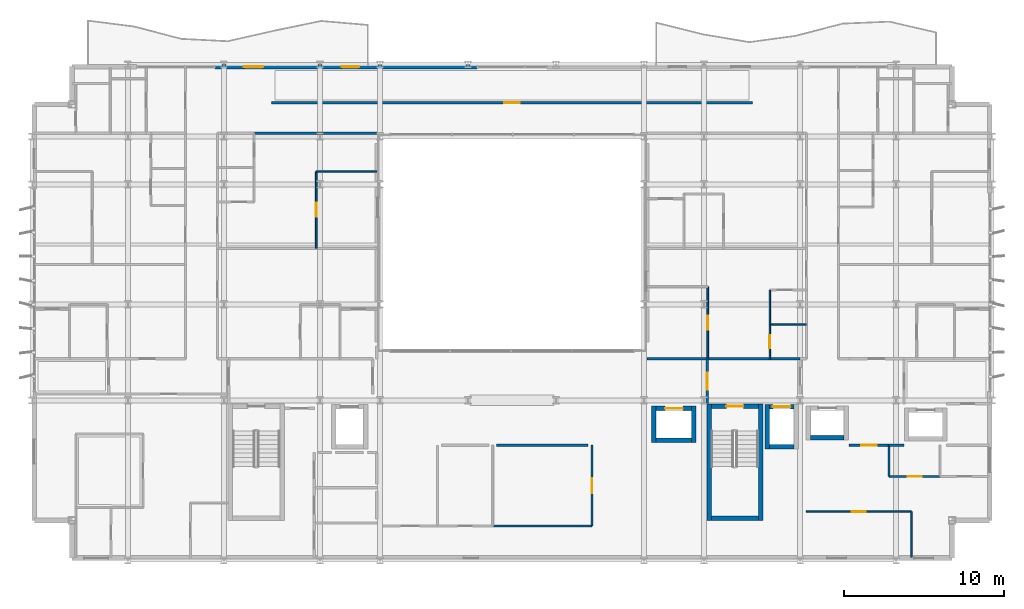
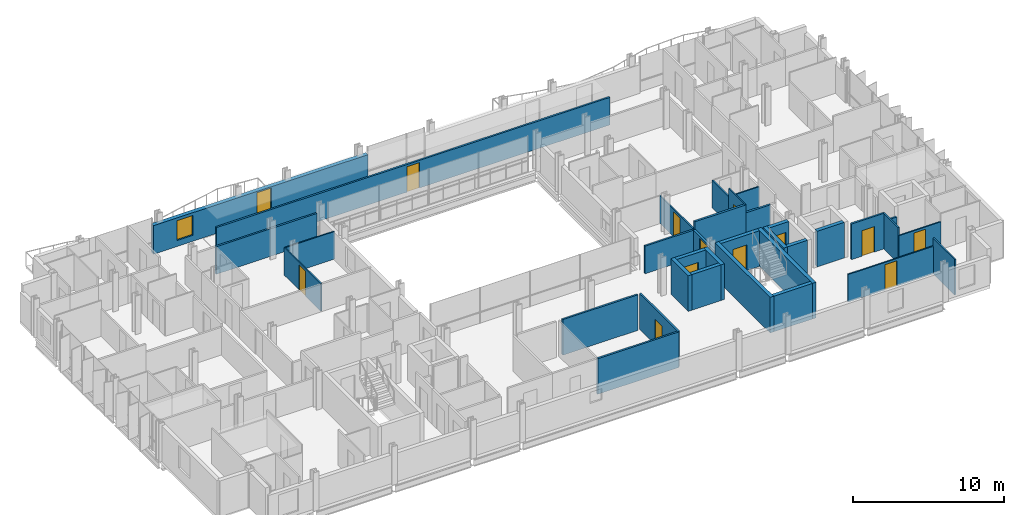
# One storey, part 30 of 38: 34 walls, 13 doors, 1 window, 14 openings.
"""IFC4 building model written with IfcOpenShell, lengths in metres."""

from ifc_helpers import new_model, si_unit, direction, frame, frame_2d, origin, place, context, subcontext, project, spatial, rectangle, extrude, material, layer, layer_set, type_object, element, fill, save


model = new_model("IFC4")

# Units and contexts
model_context = context("Model", 3, precision=1e-05, world=origin(), true_north=direction((0.0, 1.0)))
body_context = subcontext(model_context, "Body", "Model", "MODEL_VIEW")
ifc_project = project(units=[si_unit("LENGTHUNIT", "METRE"), si_unit("AREAUNIT", "SQUARE_METRE"), si_unit("VOLUMEUNIT", "CUBIC_METRE"), si_unit("PLANEANGLEUNIT", "RADIAN"), si_unit("MASSUNIT", "GRAM", prefix="KILO")], contexts=[model_context])

# Site, building, storey
site_placement = place(None, origin())
site = spatial("IfcSite", under=ifc_project, at=site_placement, CompositionType="ELEMENT")
building_placement = place(site_placement, origin())
building = spatial("IfcBuilding", under=site, at=building_placement, Name="Brevholm Reach", CompositionType="ELEMENT")
storey_placement = place(building_placement, frame((0.0, 0.0, 52.800048828125)))
storey = spatial("IfcBuildingStorey", under=building, at=storey_placement, Name="L14", CompositionType="ELEMENT", Elevation=52.800048828125)

# Walls
ifc_material_1 = material(Name="Concrete C50/60", Category="concrete")
ifc_layer_1 = layer(ifc_material_1, 0.280029296875)
ifc_layer_set_1 = layer_set([ifc_layer_1], Name="Concrete C50/60")
wall_type_1 = type_object("IfcWallType", Name="WAL-COR-280", PredefinedType="SHEAR", material=ifc_layer_set_1)
for number, where, z_axis, x_axis, name in (
    (1, (42.31005859375, 2.5, 0.0), (0.0, 0.0, 1.0), (0.0, 1.0, 0.0), "L14 Escape Stair ST-2 Core Wall W"),
    (2, (45.5400390625, 2.5, 0.0), (0.0, 0.0, 1.0), (0.0, 1.0, 0.0), "L14 Escape Stair ST-2 Core Wall E"),
):
    element("IfcWall", number, at=place(storey_placement, frame(where, z_axis=z_axis, x_axis=x_axis)), inside=storey, type_object=wall_type_1, Name=name, PredefinedType="SHEAR", context=body_context, shape_type="SweptSolid", body=[
        extrude(rectangle(XDim=7.280029296875, YDim=0.280029296875, at=frame_2d((3.64013671875, 0.0))), origin(), (0.0, 0.0, 1.0), 2.869873046875),
    ])
wall_1_placement = place(storey_placement, frame((42.449951171875, 2.639892578125, 0.0), z_axis=(0.0, 0.0, 1.0), x_axis=(1.0, 0.0, 0.0)))
element("IfcWall", 3, at=wall_1_placement, inside=storey, type_object=wall_type_1, Name="L14 Escape Stair ST-2 Core Wall S", PredefinedType="SHEAR", context=body_context, shape_type="SweptSolid", body=[
    extrude(rectangle(XDim=2.949951171875, YDim=0.280029296875, at=frame_2d((1.47509765625, 0.0))), origin(), (0.0, 0.0, 1.0), 2.869873046875),
])

# Wall, opening, door
wall_2_placement = place(storey_placement, frame((45.39990234375, 9.639892578125, 0.0), z_axis=(0.0, 0.0, 1.0), x_axis=(-1.0, 0.0, 0.0)))
wall_2 = element("IfcWall", 4, at=wall_2_placement, inside=storey, type_object=wall_type_1, Name="L14 Escape Stair ST-2 Core Wall N", PredefinedType="SHEAR", context=body_context, shape_type="SweptSolid", body=[
    extrude(rectangle(XDim=2.949951171875, YDim=0.280029296875, at=frame_2d((1.47509765625, 0.0))), origin(), (0.0, 0.0, 1.0), 2.869873046875),
])
opening_1_placement = place(wall_2_placement, frame((0.949951171875, 0.0, 0.0)))
opening_1 = element("IfcOpeningElement", 5, at=opening_1_placement, cuts=wall_2, Name="Opening SD-ST-2", PredefinedType="OPENING", context=body_context, shape_type="SweptSolid", body=[
    extrude(rectangle(XDim=1.050048828125, YDim=2.06005859375, at=frame_2d((0.52490234375, 1.030029296875))), frame((0.0, 0.14990234375, 0.0), z_axis=(0.0, -1.0, 0.0), x_axis=(1.0, 0.0, 0.0)), (0.0, 0.0, 1.0), 0.300048828125),
])
ifc_material_2 = material(Name="Hardwood-Lipped Steel-Core Fire and Smoke Door", Category="steel")
door_type_1 = type_object("IfcDoorType", Name="DOR-INT-FD60S", OperationType="NOTDEFINED", PredefinedType="DOOR", material=ifc_material_2)
door_1_placement = place(opening_1_placement, origin())
door_1 = element("IfcDoor", 6, at=door_1_placement, inside=storey, type_object=door_type_1, Name="L14 Protected Stair ST-2 Lobby Door", OperationType="SINGLE_SWING_LEFT", OverallHeight=2.06005859375, OverallWidth=1.050048828125, PredefinedType="DOOR", context=body_context, shape_type="SweptSolid", body=[
    extrude(rectangle(XDim=1.050048828125, YDim=2.06005859375, at=frame_2d((0.52490234375, 1.030029296875))), frame((0.0, 0.02490234375, 0.0), z_axis=(0.0, -1.0, 0.0), x_axis=(1.0, 0.0, 0.0)), (0.0, 0.0, 1.0), 0.050048828125),
])
fill(opening_1, door_1)

# Walls
wall_3_placement = place(storey_placement, frame((45.949951171875, 6.9599609375, 0.0), z_axis=(0.0, 0.0, 1.0), x_axis=(0.0, 1.0, 0.0)))
element("IfcWall", 7, at=wall_3_placement, inside=storey, type_object=wall_type_1, Name="L14 Lift FFL-2 Shaft Wall W", PredefinedType="SHEAR", context=body_context, shape_type="SweptSolid", body=[
    extrude(rectangle(XDim=2.780029296875, YDim=0.280029296875, at=frame_2d((1.39013671875, 0.0))), origin(), (0.0, 0.0, 1.0), 2.869873046875),
])
wall_4_placement = place(storey_placement, frame((46.090087890625, 7.10009765625, 0.0), z_axis=(0.0, 0.0, 1.0), x_axis=(1.0, 0.0, 0.0)))
element("IfcWall", 8, at=wall_4_placement, inside=storey, type_object=wall_type_1, Name="L14 Lift FFL-2 Shaft Wall S", PredefinedType="SHEAR", context=body_context, shape_type="SweptSolid", body=[
    extrude(rectangle(XDim=1.52001953125, YDim=0.280029296875, at=frame_2d((0.760009765625, 0.0))), origin(), (0.0, 0.0, 1.0), 2.869873046875),
])

# Wall, opening, door
wall_5_placement = place(storey_placement, frame((46.090087890625, 9.60009765625, 0.0), z_axis=(0.0, 0.0, 1.0), x_axis=(1.0, 0.0, 0.0)))
wall_5 = element("IfcWall", 9, at=wall_5_placement, inside=storey, type_object=wall_type_1, Name="L14 Lift FFL-2 Shaft Wall N", PredefinedType="SHEAR", context=body_context, shape_type="SweptSolid", body=[
    extrude(rectangle(XDim=1.52001953125, YDim=0.280029296875, at=frame_2d((0.760009765625, 0.0))), origin(), (0.0, 0.0, 1.0), 2.869873046875),
])
opening_2_placement = place(wall_5_placement, frame((0.2099609375, 0.0, 0.0)))
opening_2 = element("IfcOpeningElement", 10, at=opening_2_placement, cuts=wall_5, Name="Opening LD-FFL-2", PredefinedType="OPENING", context=body_context, shape_type="SweptSolid", body=[
    extrude(rectangle(XDim=1.10009765625, YDim=2.06005859375, at=frame_2d((0.550048828125, 1.030029296875))), frame((0.0, 0.14990234375, 0.0), z_axis=(0.0, -1.0, 0.0), x_axis=(1.0, 0.0, 0.0)), (0.0, 0.0, 1.0), 0.300048828125),
])
ifc_material_3 = material(Name="Brushed Stainless Steel Fire-Rated Sliding Lift Door", Category="steel")
door_type_2 = type_object("IfcDoorType", Name="DOR-LFT-1100", OperationType="NOTDEFINED", PredefinedType="DOOR", material=ifc_material_3)
door_2_placement = place(opening_2_placement, origin())
door_2 = element("IfcDoor", 11, at=door_2_placement, inside=storey, type_object=door_type_2, Name="L14 Lift FFL-2 Sliding Landing Door", OperationType="SLIDING_TO_LEFT", OverallHeight=2.06005859375, OverallWidth=1.10009765625, PredefinedType="DOOR", context=body_context, shape_type="SweptSolid", body=[
    extrude(rectangle(XDim=1.10009765625, YDim=2.06005859375, at=frame_2d((0.550048828125, 1.030029296875))), frame((0.0, 0.02490234375, 0.0), z_axis=(0.0, -1.0, 0.0), x_axis=(1.0, 0.0, 0.0)), (0.0, 0.0, 1.0), 0.050048828125),
])
fill(opening_2, door_2)

# Walls
wall_6_placement = place(storey_placement, frame((48.6650390625, 7.675048828125, 0.0), z_axis=(0.0, 0.0, 1.0), x_axis=(1.0, 0.0, 0.0)))
element("IfcWall", 12, at=wall_6_placement, inside=storey, type_object=wall_type_1, Name="L14 Lift PL-L1 Shaft Wall S", PredefinedType="SHEAR", context=body_context, shape_type="SweptSolid", body=[
    extrude(rectangle(XDim=2.070068359375, YDim=0.280029296875, at=frame_2d((1.03515625, 0.0))), origin(), (0.0, 0.0, 1.0), 2.869873046875),
])
for number, where, z_axis, x_axis, name in (
    (13, (38.8701171875, 7.360107421875, 0.0), (0.0, 0.0, 1.0), (0.0, 1.0, 0.0), "L14 Lift PL-S1 Shaft Wall W"),
    (14, (41.3701171875, 7.360107421875, 0.0), (0.0, 0.0, 1.0), (0.0, 1.0, 0.0), "L14 Lift PL-S1 Shaft Wall E"),
):
    element("IfcWall", number, at=place(storey_placement, frame(where, z_axis=z_axis, x_axis=x_axis)), inside=storey, type_object=wall_type_1, Name=name, PredefinedType="SHEAR", context=body_context, shape_type="SweptSolid", body=[
        extrude(rectangle(XDim=2.27978515625, YDim=0.280029296875, at=frame_2d((1.139892578125, 0.0))), origin(), (0.0, 0.0, 1.0), 2.869873046875),
    ])
wall_7_placement = place(storey_placement, frame((39.010009765625, 7.5, 0.0), z_axis=(0.0, 0.0, 1.0), x_axis=(1.0, 0.0, 0.0)))
element("IfcWall", 15, at=wall_7_placement, inside=storey, type_object=wall_type_1, Name="L14 Lift PL-S1 Shaft Wall S", PredefinedType="SHEAR", context=body_context, shape_type="SweptSolid", body=[
    extrude(rectangle(XDim=2.219970703125, YDim=0.280029296875, at=frame_2d((1.10986328125, 0.0))), origin(), (0.0, 0.0, 1.0), 2.869873046875),
])

# Wall, opening, door
wall_8_placement = place(storey_placement, frame((39.010009765625, 9.5, 0.0), z_axis=(0.0, 0.0, 1.0), x_axis=(1.0, 0.0, 0.0)))
wall_8 = element("IfcWall", 16, at=wall_8_placement, inside=storey, type_object=wall_type_1, Name="L14 Lift PL-S1 Shaft Wall N", PredefinedType="SHEAR", context=body_context, shape_type="SweptSolid", body=[
    extrude(rectangle(XDim=2.219970703125, YDim=0.280029296875, at=frame_2d((1.10986328125, 0.0))), origin(), (0.0, 0.0, 1.0), 2.869873046875),
])
opening_3_placement = place(wall_8_placement, frame((0.56005859375, 0.0, 0.0)))
opening_3 = element("IfcOpeningElement", 17, at=opening_3_placement, cuts=wall_8, Name="Opening LD-PL-S1", PredefinedType="OPENING", context=body_context, shape_type="SweptSolid", body=[
    extrude(rectangle(XDim=1.10009765625, YDim=2.06005859375, at=frame_2d((0.550048828125, 1.030029296875))), frame((0.0, 0.14990234375, 0.0), z_axis=(0.0, -1.0, 0.0), x_axis=(1.0, 0.0, 0.0)), (0.0, 0.0, 1.0), 0.300048828125),
])
door_3_placement = place(opening_3_placement, origin())
door_3 = element("IfcDoor", 18, at=door_3_placement, inside=storey, type_object=door_type_2, Name="L14 Lift PL-S1 Sliding Landing Door", OperationType="SLIDING_TO_RIGHT", OverallHeight=2.06005859375, OverallWidth=1.10009765625, PredefinedType="DOOR", context=body_context, shape_type="SweptSolid", body=[
    extrude(rectangle(XDim=1.10009765625, YDim=2.06005859375, at=frame_2d((0.550048828125, 1.030029296875))), frame((0.0, 0.02490234375, 0.0), z_axis=(0.0, -1.0, 0.0), x_axis=(1.0, 0.0, 0.0)), (0.0, 0.0, 1.0), 0.050048828125),
])
fill(opening_3, door_3)

# Wall, openings, door, window
ifc_material_4 = material(Name="Concrete C40/50", Category="concrete")
ifc_layer_2 = layer(ifc_material_4, 0.300048828125)
ifc_layer_set_2 = layer_set([ifc_layer_2], Name="Concrete C40/50")
wall_type_2 = type_object("IfcWallType", Name="WAL-EXT-300", PredefinedType="STANDARD", material=ifc_layer_set_2)
wall_9_placement = place(storey_placement, frame((11.449951171875, 30.85009765625, 0.0), z_axis=(0.0, 0.0, 1.0), x_axis=(1.0, 0.0, 0.0)))
wall_9 = element("IfcWall", 19, at=wall_9_placement, inside=storey, type_object=wall_type_2, Name="L14 Facade Wall WAL-L14-NP-WL", PredefinedType="STANDARD", context=body_context, shape_type="SweptSolid", body=[
    extrude(rectangle(XDim=16.35009765625, YDim=0.300048828125, at=frame_2d((8.175048828125, 0.0))), origin(), (0.0, 0.0, 1.0), 2.305419921875),
])
opening_4_placement = place(wall_9_placement, frame((7.89794921875, 0.0, 0.0)))
opening_4 = element("IfcOpeningElement", 20, at=opening_4_placement, cuts=wall_9, Name="Opening BD-01", PredefinedType="OPENING", context=body_context, shape_type="SweptSolid", body=[
    extrude(rectangle(XDim=1.10009765625, YDim=2.199951171875, at=frame_2d((0.550048828125, 1.10009765625))), frame((0.0, 0.159912109375, 0.0), z_axis=(0.0, -1.0, 0.0), x_axis=(1.0, 0.0, 0.0)), (0.0, 0.0, 1.0), 0.320068359375),
])
opening_5_placement = place(wall_9_placement, frame((1.800048828125, 0.0, 0.486083984375)))
opening_5 = element("IfcOpeningElement", 21, at=opening_5_placement, cuts=wall_9, Name="Opening WN-08", PredefinedType="OPENING", context=body_context, shape_type="SweptSolid", body=[
    extrude(rectangle(XDim=1.199951171875, YDim=1.60009765625, at=frame_2d((0.60009765625, 0.800048828125))), frame((0.0, 0.159912109375, 0.0), z_axis=(0.0, -1.0, 0.0), x_axis=(1.0, 0.0, 0.0)), (0.0, 0.0, 1.0), 0.320068359375),
])
ifc_material_5 = material(Name="Dark Anodised Aluminium and Triple-Glazed Glass", Category="aluminium")
door_type_3 = type_object("IfcDoorType", Name="DOR-BALC-1100", OperationType="NOTDEFINED", PredefinedType="DOOR", material=ifc_material_5)
door_4_placement = place(opening_4_placement, origin())
door_4 = element("IfcDoor", 22, at=door_4_placement, inside=storey, type_object=door_type_3, Name="L14 Exterior Door DOR-L14-BL-NW", OperationType="SINGLE_SWING_RIGHT", OverallHeight=2.199951171875, OverallWidth=1.10009765625, PredefinedType="DOOR", context=body_context, shape_type="SweptSolid", body=[
    extrude(rectangle(XDim=1.10009765625, YDim=2.199951171875, at=frame_2d((0.550048828125, 1.10009765625))), frame((0.0, 0.02490234375, 0.0), z_axis=(0.0, -1.0, 0.0), x_axis=(1.0, 0.0, 0.0)), (0.0, 0.0, 1.0), 0.050048828125),
])
fill(opening_4, door_4)
ifc_material_6 = material(Name="Dark Anodised Aluminium and Solar-Control IGU Glass", Category="aluminium")
window_type = type_object("IfcWindowType", Name="WIN-RES-1200", PartitioningType="SINGLE_PANEL", PredefinedType="WINDOW", material=ifc_material_6)
window_placement = place(opening_5_placement, origin())
window = element("IfcWindow", 23, at=window_placement, inside=storey, type_object=window_type, Name="L14 Window WIN-L14-NP-WL1", OverallHeight=1.60009765625, OverallWidth=1.199951171875, PartitioningType="SINGLE_PANEL", PredefinedType="WINDOW", context=body_context, shape_type="SweptSolid", body=[
    extrude(rectangle(XDim=1.199951171875, YDim=1.60009765625, at=frame_2d((0.60009765625, 0.800048828125))), frame((0.0, 0.030029296875, 0.0), z_axis=(0.0, -1.0, 0.0), x_axis=(1.0, 0.0, 0.0)), (0.0, 0.0, 1.0), 0.06005859375),
])
fill(opening_5, window)

# Wall, opening, door
ifc_material_7 = material(Name="Moisture-Resistant Acoustic Gypsum Stud Partition 100 mm", Category="gypsum")
ifc_layer_3 = layer(ifc_material_7, 0.10009765625)
ifc_layer_set_3 = layer_set([ifc_layer_3], Name="Moisture-Resistant Acoustic Gypsum Stud Partition 100 mm")
wall_type_3 = type_object("IfcWallType", Name="WAL-PRT-100", PredefinedType="PARTITIONING", material=ifc_layer_set_3)
wall_10_placement = place(storey_placement, frame((53.55810546875, 5.25, 0.0), z_axis=(0.0, 0.0, 1.0), x_axis=(1.0, 0.0, 0.0)))
wall_10 = element("IfcWall", 24, at=wall_10_placement, inside=storey, type_object=wall_type_3, Name="L14 Internal Partition 075", PredefinedType="PARTITIONING", context=body_context, shape_type="SweptSolid", body=[
    extrude(rectangle(XDim=3.18798828125, YDim=0.10009765625, at=frame_2d((1.593994140625, 0.0))), origin(), (0.0, 0.0, 1.0), 2.224853515625),
])
opening_6_placement = place(wall_10_placement, frame((1.154052734375, 0.0, 0.0)))
opening_6 = element("IfcOpeningElement", 25, at=opening_6_placement, cuts=wall_10, Name="Opening ID-01", PredefinedType="OPENING", context=body_context, shape_type="SweptSolid", body=[
    extrude(rectangle(XDim=0.8798828125, YDim=2.0400390625, at=frame_2d((0.43994140625, 1.02001953125))), frame((0.0, 0.06005859375, 0.0), z_axis=(0.0, -1.0, 0.0), x_axis=(1.0, 0.0, 0.0)), (0.0, 0.0, 1.0), 0.1201171875),
])
ifc_material_8 = material(Name="Lacquered Ash Solid-Core Acoustic Internal Door", Category="timber")
door_type_4 = type_object("IfcDoorType", Name="DOR-INT-880", OperationType="NOTDEFINED", PredefinedType="DOOR", material=ifc_material_8)
door_5_placement = place(opening_6_placement, origin())
door_5 = element("IfcDoor", 26, at=door_5_placement, inside=storey, type_object=door_type_4, Name="L14 Internal Door 031", OperationType="SINGLE_SWING_LEFT", OverallHeight=2.0400390625, OverallWidth=0.8798828125, PredefinedType="DOOR", context=body_context, shape_type="SweptSolid", body=[
    extrude(rectangle(XDim=0.8798828125, YDim=2.0400390625, at=frame_2d((0.43994140625, 1.02001953125))), frame((0.0, 0.02490234375, 0.0), z_axis=(0.0, -1.0, 0.0), x_axis=(1.0, 0.0, 0.0)), (0.0, 0.0, 1.0), 0.050048828125),
])
fill(opening_6, door_5)

# Walls
wall_11_placement = place(storey_placement, frame((53.55810546875, 5.25, 0.0), z_axis=(0.0, 0.0, 1.0), x_axis=(0.0, 1.0, 0.0)))
element("IfcWall", 27, at=wall_11_placement, inside=storey, type_object=wall_type_3, Name="L14 Internal Partition 076", PredefinedType="PARTITIONING", context=body_context, shape_type="SweptSolid", body=[
    extrude(rectangle(XDim=1.946044921875, YDim=0.10009765625, at=frame_2d((0.97314453125, 0.0))), origin(), (0.0, 0.0, 1.0), 2.869873046875),
])
wall_12_placement = place(storey_placement, frame((54.949951171875, 0.199951171875, 0.0), z_axis=(0.0, 0.0, 1.0), x_axis=(0.0, 1.0, 0.0)))
element("IfcWall", 28, at=wall_12_placement, inside=storey, type_object=wall_type_3, Name="L14 Internal Partition 077", PredefinedType="PARTITIONING", context=body_context, shape_type="SweptSolid", body=[
    extrude(rectangle(XDim=2.85009765625, YDim=0.10009765625, at=frame_2d((1.425048828125, 0.0))), origin(), (0.0, 0.0, 1.0), 2.869873046875),
])

# Wall, opening, door
wall_13_placement = place(storey_placement, frame((48.39990234375, 3.050048828125, 0.0), z_axis=(0.0, 0.0, 1.0), x_axis=(1.0, 0.0, 0.0)))
wall_13 = element("IfcWall", 29, at=wall_13_placement, inside=storey, type_object=wall_type_3, Name="L14 Internal Partition 078", PredefinedType="PARTITIONING", context=body_context, shape_type="SweptSolid", body=[
    extrude(rectangle(XDim=6.550048828125, YDim=0.10009765625, at=frame_2d((3.27490234375, 0.0))), origin(), (0.0, 0.0, 1.0), 2.224853515625),
])
opening_7_placement = place(wall_13_placement, frame((2.8349609375, 0.0, 0.0)))
opening_7 = element("IfcOpeningElement", 30, at=opening_7_placement, cuts=wall_13, Name="Opening ID-01", PredefinedType="OPENING", context=body_context, shape_type="SweptSolid", body=[
    extrude(rectangle(XDim=0.8798828125, YDim=2.0400390625, at=frame_2d((0.43994140625, 1.02001953125))), frame((0.0, 0.06005859375, 0.0), z_axis=(0.0, -1.0, 0.0), x_axis=(1.0, 0.0, 0.0)), (0.0, 0.0, 1.0), 0.1201171875),
])
door_6_placement = place(opening_7_placement, origin())
door_6 = element("IfcDoor", 31, at=door_6_placement, inside=storey, type_object=door_type_4, Name="L14 Internal Door 032", OperationType="SINGLE_SWING_RIGHT", OverallHeight=2.0400390625, OverallWidth=0.8798828125, PredefinedType="DOOR", context=body_context, shape_type="SweptSolid", body=[
    extrude(rectangle(XDim=0.8798828125, YDim=2.0400390625, at=frame_2d((0.43994140625, 1.02001953125))), frame((0.0, 0.02490234375, 0.0), z_axis=(0.0, -1.0, 0.0), x_axis=(1.0, 0.0, 0.0)), (0.0, 0.0, 1.0), 0.050048828125),
])
fill(opening_7, door_6)

# Wall
wall_14_placement = place(storey_placement, frame((17.76904296875, 24.300048828125, 0.0), z_axis=(0.0, 0.0, 1.0), x_axis=(1.0, 0.0, 0.0)))
element("IfcWall", 32, at=wall_14_placement, inside=storey, type_object=wall_type_3, Name="L14 Internal Partition 108", PredefinedType="PARTITIONING", context=body_context, shape_type="SweptSolid", body=[
    extrude(rectangle(XDim=3.781005859375, YDim=0.10009765625, at=frame_2d((1.890625, 0.0))), origin(), (0.0, 0.0, 1.0), 2.224853515625),
])

# Wall, opening, door
wall_15_placement = place(storey_placement, frame((17.76904296875, 19.50390625, 0.0), z_axis=(0.0, 0.0, 1.0), x_axis=(0.0, 1.0, 0.0)))
wall_15 = element("IfcWall", 33, at=wall_15_placement, inside=storey, type_object=wall_type_3, Name="L14 Internal Partition 109", PredefinedType="PARTITIONING", context=body_context, shape_type="SweptSolid", body=[
    extrude(rectangle(XDim=4.796142578125, YDim=0.10009765625, at=frame_2d((2.39794921875, 0.0))), origin(), (0.0, 0.0, 1.0), 2.224853515625),
])
opening_8_placement = place(wall_15_placement, frame((1.9580078125, 0.0, 0.0)))
opening_8 = element("IfcOpeningElement", 34, at=opening_8_placement, cuts=wall_15, Name="Opening ID-01", PredefinedType="OPENING", context=body_context, shape_type="SweptSolid", body=[
    extrude(rectangle(XDim=0.8798828125, YDim=2.0400390625, at=frame_2d((0.43994140625, 1.02001953125))), frame((0.0, 0.06005859375, 0.0), z_axis=(0.0, -1.0, 0.0), x_axis=(1.0, 0.0, 0.0)), (0.0, 0.0, 1.0), 0.1201171875),
])
door_7_placement = place(opening_8_placement, origin())
door_7 = element("IfcDoor", 35, at=door_7_placement, inside=storey, type_object=door_type_4, Name="L14 Internal Door 042", OperationType="SINGLE_SWING_RIGHT", OverallHeight=2.0400390625, OverallWidth=0.8798828125, PredefinedType="DOOR", context=body_context, shape_type="SweptSolid", body=[
    extrude(rectangle(XDim=0.8798828125, YDim=2.0400390625, at=frame_2d((0.43994140625, 1.02001953125))), frame((0.0, 0.02490234375, 0.0), z_axis=(0.0, -1.0, 0.0), x_axis=(1.0, 0.0, 0.0)), (0.0, 0.0, 1.0), 0.050048828125),
])
fill(opening_8, door_7)

# Wall
wall_16_placement = place(storey_placement, frame((46.112060546875, 14.75, 0.0), z_axis=(0.0, 0.0, 1.0), x_axis=(1.0, 0.0, 0.0)))
element("IfcWall", 36, at=wall_16_placement, inside=storey, type_object=wall_type_3, Name="L14 Internal Partition 110", PredefinedType="PARTITIONING", context=body_context, shape_type="SweptSolid", body=[
    extrude(rectangle(XDim=2.283935546875, YDim=0.10009765625, at=frame_2d((1.14208984375, 0.0))), origin(), (0.0, 0.0, 1.0), 2.224853515625),
])

# Wall, opening, door
wall_17_placement = place(storey_placement, frame((46.112060546875, 12.60400390625, 0.0), z_axis=(0.0, 0.0, 1.0), x_axis=(0.0, 1.0, 0.0)))
wall_17 = element("IfcWall", 37, at=wall_17_placement, inside=storey, type_object=wall_type_3, Name="L14 Internal Partition 111", PredefinedType="PARTITIONING", context=body_context, shape_type="SweptSolid", body=[
    extrude(rectangle(XDim=2.14599609375, YDim=0.10009765625, at=frame_2d((1.072998046875, 0.0))), origin(), (0.0, 0.0, 1.0), 2.869873046875),
])
opening_9_placement = place(wall_17_placement, frame((0.6630859375, 0.0, 0.0)))
opening_9 = element("IfcOpeningElement", 38, at=opening_9_placement, cuts=wall_17, Name="Opening ID-03", PredefinedType="OPENING", context=body_context, shape_type="SweptSolid", body=[
    extrude(rectangle(XDim=0.820068359375, YDim=2.02001953125, at=frame_2d((0.41015625, 1.010009765625))), frame((0.0, 0.06005859375, 0.0), z_axis=(0.0, -1.0, 0.0), x_axis=(1.0, 0.0, 0.0)), (0.0, 0.0, 1.0), 0.1201171875),
])
ifc_material_9 = material(Name="Moisture-Resistant Painted Timber Internal Bathroom Door", Category="wood")
door_type_5 = type_object("IfcDoorType", Name="DOR-BATH-820", OperationType="NOTDEFINED", PredefinedType="DOOR", material=ifc_material_9)
door_8_placement = place(opening_9_placement, origin())
door_8 = element("IfcDoor", 39, at=door_8_placement, inside=storey, type_object=door_type_5, Name="L14 Internal Door 043", OperationType="SINGLE_SWING_LEFT", OverallHeight=2.02001953125, OverallWidth=0.820068359375, PredefinedType="DOOR", context=body_context, shape_type="SweptSolid", body=[
    extrude(rectangle(XDim=0.820068359375, YDim=2.02001953125, at=frame_2d((0.41015625, 1.010009765625))), frame((0.0, 0.02490234375, 0.0), z_axis=(0.0, -1.0, 0.0), x_axis=(1.0, 0.0, 0.0)), (0.0, 0.0, 1.0), 0.050048828125),
])
fill(opening_9, door_8)

# Wall
wall_18_placement = place(storey_placement, frame((46.112060546875, 14.75390625, 0.0), z_axis=(0.0, 0.0, 1.0), x_axis=(0.0, 1.0, 0.0)))
element("IfcWall", 40, at=wall_18_placement, inside=storey, type_object=wall_type_3, Name="L14 Internal Partition 113", PredefinedType="PARTITIONING", context=body_context, shape_type="SweptSolid", body=[
    extrude(rectangle(XDim=2.14599609375, YDim=0.10009765625, at=frame_2d((1.072998046875, 0.0))), origin(), (0.0, 0.0, 1.0), 2.224853515625),
])

# Wall, opening, door
wall_19_placement = place(storey_placement, frame((42.23095703125, 12.60400390625, 0.0), z_axis=(0.0, 0.0, 1.0), x_axis=(0.0, 1.0, 0.0)))
wall_19 = element("IfcWall", 41, at=wall_19_placement, inside=storey, type_object=wall_type_3, Name="L14 Internal Partition 114", PredefinedType="PARTITIONING", context=body_context, shape_type="SweptSolid", body=[
    extrude(rectangle(XDim=4.49609375, YDim=0.10009765625, at=frame_2d((2.248046875, 0.0))), origin(), (0.0, 0.0, 1.0), 2.224853515625),
])
opening_10_placement = place(wall_19_placement, frame((1.80810546875, 0.0, 0.0)))
opening_10 = element("IfcOpeningElement", 42, at=opening_10_placement, cuts=wall_19, Name="Opening ID-01", PredefinedType="OPENING", context=body_context, shape_type="SweptSolid", body=[
    extrude(rectangle(XDim=0.8798828125, YDim=2.0400390625, at=frame_2d((0.43994140625, 1.02001953125))), frame((0.0, 0.06005859375, 0.0), z_axis=(0.0, -1.0, 0.0), x_axis=(1.0, 0.0, 0.0)), (0.0, 0.0, 1.0), 0.1201171875),
])
door_9_placement = place(opening_10_placement, origin())
door_9 = element("IfcDoor", 43, at=door_9_placement, inside=storey, type_object=door_type_4, Name="L14 Internal Door 045", OperationType="SINGLE_SWING_LEFT", OverallHeight=2.0400390625, OverallWidth=0.8798828125, PredefinedType="DOOR", context=body_context, shape_type="SweptSolid", body=[
    extrude(rectangle(XDim=0.8798828125, YDim=2.0400390625, at=frame_2d((0.43994140625, 1.02001953125))), frame((0.0, 0.02490234375, 0.0), z_axis=(0.0, -1.0, 0.0), x_axis=(1.0, 0.0, 0.0)), (0.0, 0.0, 1.0), 0.050048828125),
])
fill(opening_10, door_9)

ifc_material_10 = material(Name="Twin-Stud Acoustic Fire-Rated Gypsum Partition 140 mm", Category="gypsum")
ifc_layer_4 = layer(ifc_material_10, 0.139892578125)
ifc_layer_set_4 = layer_set([ifc_layer_4], Name="Twin-Stud Acoustic Fire-Rated Gypsum Partition 140 mm")
wall_type_4 = type_object("IfcWallType", Name="WAL-PRT-140", PredefinedType="PARTITIONING", material=ifc_layer_set_4)
wall_20_placement = place(storey_placement, frame((35.0, 2.142578125, 0.0), z_axis=(0.0, 0.0, 1.0), x_axis=(0.0, 1.0, 0.0)))
wall_20 = element("IfcWall", 44, at=wall_20_placement, inside=storey, type_object=wall_type_4, Name="L14 Internal Partition 001", PredefinedType="PARTITIONING", context=body_context, shape_type="SweptSolid", body=[
    extrude(rectangle(XDim=5.068603515625, YDim=0.139892578125, at=frame_2d((2.5341796875, 0.0))), origin(), (0.0, 0.0, 1.0), 2.869873046875),
])
opening_11_placement = place(wall_20_placement, frame((2.059326171875, 0.0, 0.0)))
opening_11 = element("IfcOpeningElement", 45, at=opening_11_placement, cuts=wall_20, Name="Opening ID-30", PredefinedType="OPENING", context=body_context, shape_type="SweptSolid", body=[
    extrude(rectangle(XDim=0.949951171875, YDim=2.050048828125, at=frame_2d((0.47509765625, 1.02490234375))), frame((0.0, 0.079833984375, 0.0), z_axis=(0.0, -1.0, 0.0), x_axis=(1.0, 0.0, 0.0)), (0.0, 0.0, 1.0), 0.159912109375),
])
ifc_material_11 = material(Name="European Oak Veneered Solid-Core Fire Entrance Door", Category="timber")
door_type_6 = type_object("IfcDoorType", Name="DOR-FLT-FD30S", OperationType="NOTDEFINED", PredefinedType="DOOR", material=ifc_material_11)
door_10_placement = place(opening_11_placement, origin())
door_10 = element("IfcDoor", 46, at=door_10_placement, inside=storey, type_object=door_type_6, Name="L14 Internal Door 001", OperationType="SINGLE_SWING_LEFT", OverallHeight=2.050048828125, OverallWidth=0.949951171875, PredefinedType="DOOR", context=body_context, shape_type="SweptSolid", body=[
    extrude(rectangle(XDim=0.949951171875, YDim=2.050048828125, at=frame_2d((0.47509765625, 1.02490234375))), frame((0.0, 0.02490234375, 0.0), z_axis=(0.0, -1.0, 0.0), x_axis=(1.0, 0.0, 0.0)), (0.0, 0.0, 1.0), 0.050048828125),
])
fill(opening_11, door_10)

# Walls
wall_21_placement = place(storey_placement, frame((28.792724609375, 2.14990234375, 0.0), z_axis=(0.0, 0.0, 1.0), x_axis=(1.0, 0.0, 0.0)))
element("IfcWall", 47, at=wall_21_placement, inside=storey, type_object=wall_type_4, Name="L14 Internal Partition 004", PredefinedType="PARTITIONING", context=body_context, shape_type="SweptSolid", body=[
    extrude(rectangle(XDim=6.203369140625, YDim=0.139892578125, at=frame_2d((3.1015625, 0.0))), origin(), (0.0, 0.0, 1.0), 2.869873046875),
])
wall_22_placement = place(storey_placement, frame((53.546630859375, 7.199951171875, 0.0), z_axis=(0.0, 0.0, 1.0), x_axis=(1.0, 0.0, 0.0)))
element("IfcWall", 48, at=wall_22_placement, inside=storey, type_object=wall_type_4, Name="L14 Internal Partition 014", PredefinedType="PARTITIONING", context=body_context, shape_type="SweptSolid", body=[
    extrude(rectangle(XDim=0.953369140625, YDim=0.139892578125, at=frame_2d((0.4765625, 0.0))), origin(), (0.0, 0.0, 1.0), 2.224853515625),
])

# Wall, opening, door
wall_23_placement = place(storey_placement, frame((51.050048828125, 7.199951171875, 0.0), z_axis=(0.0, 0.0, 1.0), x_axis=(1.0, 0.0, 0.0)))
wall_23 = element("IfcWall", 49, at=wall_23_placement, inside=storey, type_object=wall_type_4, Name="L14 Internal Partition 015", PredefinedType="PARTITIONING", context=body_context, shape_type="SweptSolid", body=[
    extrude(rectangle(XDim=2.51513671875, YDim=0.139892578125, at=frame_2d((1.257568359375, 0.0))), origin(), (0.0, 0.0, 1.0), 2.869873046875),
])
opening_12_placement = place(wall_23_placement, frame((0.78271484375, 0.0, 0.0)))
opening_12 = element("IfcOpeningElement", 50, at=opening_12_placement, cuts=wall_23, Name="Opening ID-30", PredefinedType="OPENING", context=body_context, shape_type="SweptSolid", body=[
    extrude(rectangle(XDim=0.949951171875, YDim=2.050048828125, at=frame_2d((0.47509765625, 1.02490234375))), frame((0.0, 0.079833984375, 0.0), z_axis=(0.0, -1.0, 0.0), x_axis=(1.0, 0.0, 0.0)), (0.0, 0.0, 1.0), 0.159912109375),
])
door_11_placement = place(opening_12_placement, origin())
door_11 = element("IfcDoor", 51, at=door_11_placement, inside=storey, type_object=door_type_6, Name="L14 Internal Door 009", OperationType="SINGLE_SWING_LEFT", OverallHeight=2.050048828125, OverallWidth=0.949951171875, PredefinedType="DOOR", context=body_context, shape_type="SweptSolid", body=[
    extrude(rectangle(XDim=0.949951171875, YDim=2.050048828125, at=frame_2d((0.47509765625, 1.02490234375))), frame((0.0, 0.02490234375, 0.0), z_axis=(0.0, -1.0, 0.0), x_axis=(1.0, 0.0, 0.0)), (0.0, 0.0, 1.0), 0.050048828125),
])
fill(opening_12, door_11)

# Walls
wall_24_placement = place(storey_placement, frame((38.438720703125, 12.60009765625, 0.0), z_axis=(0.0, 0.0, 1.0), x_axis=(1.0, 0.0, 0.0)))
element("IfcWall", 52, at=wall_24_placement, inside=storey, type_object=wall_type_4, Name="L14 Internal Partition 031", PredefinedType="PARTITIONING", context=body_context, shape_type="SweptSolid", body=[
    extrude(rectangle(XDim=3.75732421875, YDim=0.139892578125, at=frame_2d((1.878662109375, 0.0))), origin(), (0.0, 0.0, 1.0), 2.224853515625),
])
wall_25_placement = place(storey_placement, frame((13.881591796875, 26.699951171875, 0.0), z_axis=(0.0, 0.0, 1.0), x_axis=(1.0, 0.0, 0.0)))
element("IfcWall", 53, at=wall_25_placement, inside=storey, type_object=wall_type_4, Name="L14 Internal Partition 053", PredefinedType="PARTITIONING", context=body_context, shape_type="SweptSolid", body=[
    extrude(rectangle(XDim=7.6796875, YDim=0.139892578125, at=frame_2d((3.83984375, 0.0))), origin(), (0.0, 0.0, 1.0), 2.224853515625),
])

# Wall, opening, door
wall_26_placement = place(storey_placement, frame((14.98876953125, 28.60009765625, 0.0), z_axis=(0.0, 0.0, 1.0), x_axis=(1.0, 0.0, 0.0)))
wall_26 = element("IfcWall", 54, at=wall_26_placement, inside=storey, type_object=wall_type_4, Name="L14 Internal Partition 055", PredefinedType="PARTITIONING", context=body_context, shape_type="SweptSolid", body=[
    extrude(rectangle(XDim=30.0224609375, YDim=0.139892578125, at=frame_2d((15.01123046875, 0.0))), origin(), (0.0, 0.0, 1.0), 2.224853515625),
])
opening_13_placement = place(wall_26_placement, frame((14.536376953125, 0.0, 0.0)))
opening_13 = element("IfcOpeningElement", 55, at=opening_13_placement, cuts=wall_26, Name="Opening ID-30", PredefinedType="OPENING", context=body_context, shape_type="SweptSolid", body=[
    extrude(rectangle(XDim=0.949951171875, YDim=2.050048828125, at=frame_2d((0.47509765625, 1.02490234375))), frame((0.0, 0.079833984375, 0.0), z_axis=(0.0, -1.0, 0.0), x_axis=(1.0, 0.0, 0.0)), (0.0, 0.0, 1.0), 0.159912109375),
])
door_12_placement = place(opening_13_placement, origin())
door_12 = element("IfcDoor", 56, at=door_12_placement, inside=storey, type_object=door_type_6, Name="L14 Internal Door 026", OperationType="SINGLE_SWING_RIGHT", OverallHeight=2.050048828125, OverallWidth=0.949951171875, PredefinedType="DOOR", context=body_context, shape_type="SweptSolid", body=[
    extrude(rectangle(XDim=0.949951171875, YDim=2.050048828125, at=frame_2d((0.47509765625, 1.02490234375))), frame((0.0, 0.02490234375, 0.0), z_axis=(0.0, -1.0, 0.0), x_axis=(1.0, 0.0, 0.0)), (0.0, 0.0, 1.0), 0.050048828125),
])
fill(opening_13, door_12)

# Wall
wall_27_placement = place(storey_placement, frame((29.0400390625, 7.199951171875, 0.0), z_axis=(0.0, 0.0, 1.0), x_axis=(1.0, 0.0, 0.0)))
element("IfcWall", 57, at=wall_27_placement, inside=storey, type_object=wall_type_4, Name="L14 Internal Partition 155", PredefinedType="PARTITIONING", context=body_context, shape_type="SweptSolid", body=[
    extrude(rectangle(XDim=5.719970703125, YDim=0.139892578125, at=frame_2d((2.85986328125, 0.0))), origin(), (0.0, 0.0, 1.0), 2.869873046875),
])

# Wall, opening, door
ifc_material_12 = material(Name="Twin-Frame Fire-Rated Gypsum Board and Mineral Wool 160 mm", Category="gypsum")
ifc_layer_5 = layer(ifc_material_12, 0.159912109375)
ifc_layer_set_5 = layer_set([ifc_layer_5], Name="Twin-Frame Fire-Rated Gypsum Board and Mineral Wool 160 mm")
wall_type_5 = type_object("IfcWallType", Name="WAL-PRT-160", PredefinedType="PARTITIONING", material=ifc_layer_set_5)
wall_28_placement = place(storey_placement, frame((42.199951171875, 9.7900390625, 0.0), z_axis=(0.0, 0.0, 1.0), x_axis=(0.0, 1.0, 0.0)))
wall_28 = element("IfcWall", 58, at=wall_28_placement, inside=storey, type_object=wall_type_5, Name="L14 Internal Partition 023", PredefinedType="PARTITIONING", context=body_context, shape_type="SweptSolid", body=[
    extrude(rectangle(XDim=2.81005859375, YDim=0.159912109375, at=frame_2d((1.405029296875, 0.0))), origin(), (0.0, 0.0, 1.0), 2.224853515625),
])
opening_14_placement = place(wall_28_placement, frame((0.8798828125, 0.0, 0.0)))
opening_14 = element("IfcOpeningElement", 59, at=opening_14_placement, cuts=wall_28, Name="Opening FD-01", PredefinedType="OPENING", context=body_context, shape_type="SweptSolid", body=[
    extrude(rectangle(XDim=1.050048828125, YDim=2.06005859375, at=frame_2d((0.52490234375, 1.030029296875))), frame((0.0, 0.08984375, 0.0), z_axis=(0.0, -1.0, 0.0), x_axis=(1.0, 0.0, 0.0)), (0.0, 0.0, 1.0), 0.179931640625),
])
door_13_placement = place(opening_14_placement, origin())
door_13 = element("IfcDoor", 60, at=door_13_placement, inside=storey, type_object=door_type_1, Name="L14 Internal Door 013", OperationType="SINGLE_SWING_LEFT", OverallHeight=2.06005859375, OverallWidth=1.050048828125, PredefinedType="DOOR", context=body_context, shape_type="SweptSolid", body=[
    extrude(rectangle(XDim=1.050048828125, YDim=2.06005859375, at=frame_2d((0.52490234375, 1.030029296875))), frame((0.0, 0.02490234375, 0.0), z_axis=(0.0, -1.0, 0.0), x_axis=(1.0, 0.0, 0.0)), (0.0, 0.0, 1.0), 0.050048828125),
])
fill(opening_14, door_13)

# Walls
wall_29_placement = place(storey_placement, frame((46.1005859375, 12.60009765625, 0.0), z_axis=(0.0, 0.0, 1.0), x_axis=(1.0, 0.0, 0.0)))
element("IfcWall", 61, at=wall_29_placement, inside=storey, type_object=wall_type_5, Name="L14 Internal Partition 025", PredefinedType="PARTITIONING", context=body_context, shape_type="SweptSolid", body=[
    extrude(rectangle(XDim=1.8994140625, YDim=0.159912109375, at=frame_2d((0.94970703125, 0.0))), origin(), (0.0, 0.0, 1.0), 2.224853515625),
])
wall_30_placement = place(storey_placement, frame((42.2236328125, 12.60009765625, 0.0), z_axis=(0.0, 0.0, 1.0), x_axis=(1.0, 0.0, 0.0)))
element("IfcWall", 62, at=wall_30_placement, inside=storey, type_object=wall_type_5, Name="L14 Internal Partition 026", PredefinedType="PARTITIONING", context=body_context, shape_type="SweptSolid", body=[
    extrude(rectangle(XDim=3.895751953125, YDim=0.159912109375, at=frame_2d((1.94775390625, 0.0))), origin(), (0.0, 0.0, 1.0), 2.869873046875),
])

save(model, "model.ifc")
